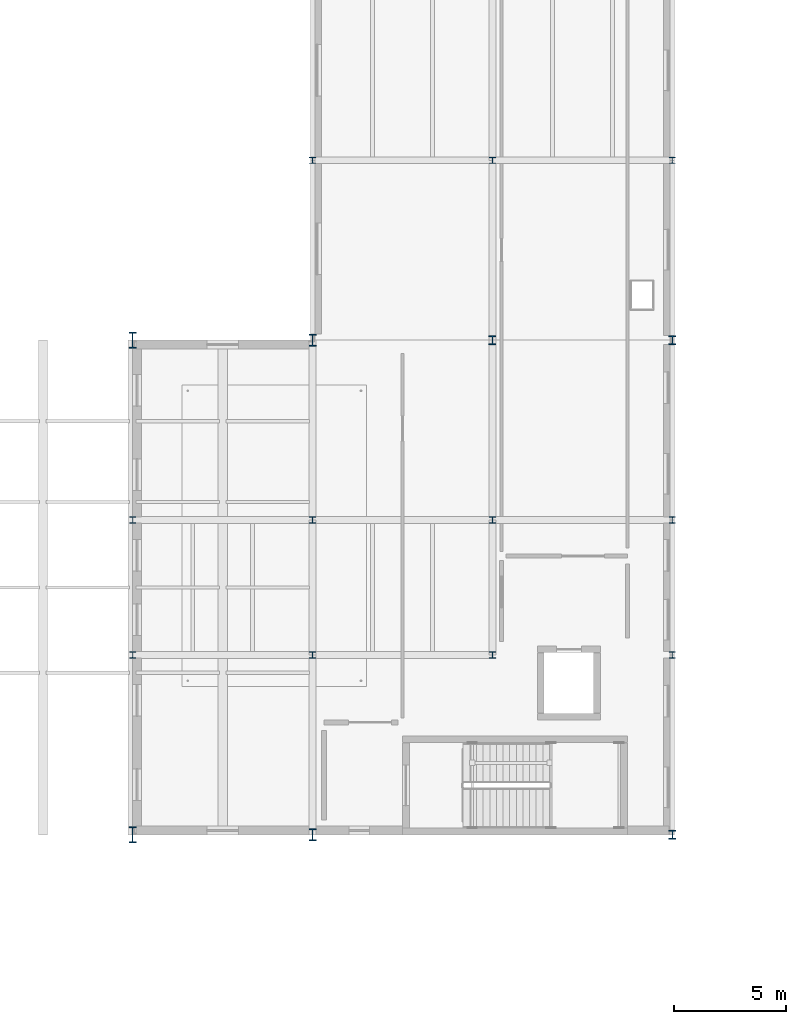
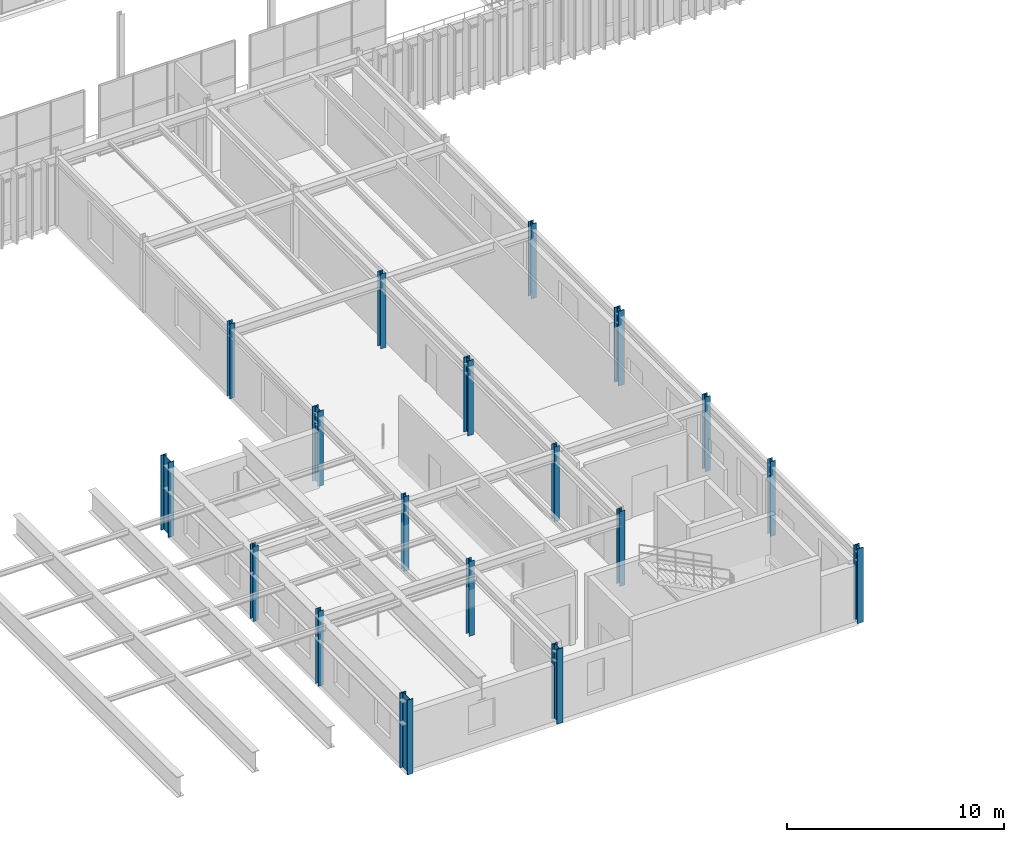
# One storey, part 1 of 122: 18 columns.
"""IFC4 building model written with IfcOpenShell, lengths in metres."""

from ifc_helpers import new_model, si_unit, direction, frame, origin, origin_2d, place, context, subcontext, project, spatial, i_section, extrude, material, material_profile, profile_set, type_object, element, save


model = new_model("IFC4")

# Units and contexts
model_context = context("Model", 3, precision=1e-05, world=origin(), true_north=direction((0.0, 1.0)))
body_context = subcontext(model_context, "Body", "Model", "MODEL_VIEW")
ifc_project = project(units=[si_unit("LENGTHUNIT", "METRE"), si_unit("AREAUNIT", "SQUARE_METRE"), si_unit("VOLUMEUNIT", "CUBIC_METRE"), si_unit("PLANEANGLEUNIT", "RADIAN"), si_unit("MASSUNIT", "GRAM", prefix="KILO")], contexts=[model_context])

# Site, building, storey
site_placement = place(None, origin())
site = spatial("IfcSite", under=ifc_project, at=site_placement, CompositionType="ELEMENT")
building_placement = place(site_placement, origin())
building = spatial("IfcBuilding", under=site, at=building_placement, Name="Sundkrona Museum", CompositionType="ELEMENT")
storey_placement = place(building_placement, frame((0.0, 0.0, 5.39990234375)))
storey = spatial("IfcBuildingStorey", under=building, at=storey_placement, Name="L01", CompositionType="ELEMENT", Elevation=5.39990234375)

# Columns
ifc_material_1 = material(Name="Steel S355J2", Category="steel")
ifc_material_profile_1 = material_profile(ifc_material_1, i_section(OverallWidth=0.280029296875, OverallDepth=0.280029296875, WebThickness=0.010498046875, FlangeThickness=0.01806640625, FilletRadius=0.02392578125, at=origin_2d()), Name="HEB 280")
ifc_profile_set_1 = profile_set([ifc_material_profile_1], Name="Steel S355J2")
column_type_1 = type_object("IfcColumnType", Name="C-HEB280", PredefinedType="COLUMN", material=ifc_profile_set_1)
for number, where, z_axis, x_axis, name in (
    (1, (16.0, 40.0, 0.0), (0.0, 0.0, 1.0), (1.0, 0.0, 0.0), "L01 Column F/3"),
    (2, (16.0, 46.0, 0.0), (0.0, 0.0, 1.0), (1.0, 0.0, 0.0), "L01 Column G/3"),
    (3, (24.0, 40.0, 0.0), (0.0, 0.0, 1.0), (1.0, 0.0, 0.0), "L01 Column F/4"),
    (4, (24.0, 46.0, 0.0), (0.0, 0.0, 1.0), (1.0, 0.0, 0.0), "L01 Column G/4"),
    (5, (24.0, 62.0, 0.0), (0.0, 0.0, 1.0), (1.0, 0.0, 0.0), "L01 Column J/4"),
    (6, (32.0, 40.0, 0.0), (0.0, 0.0, 1.0), (1.0, 0.0, 0.0), "L01 Column F/5"),
    (7, (32.0, 46.0, 0.0), (0.0, 0.0, 1.0), (1.0, 0.0, 0.0), "L01 Column G/5"),
    (8, (32.0, 62.0, 0.0), (0.0, 0.0, 1.0), (1.0, 0.0, 0.0), "L01 Column J/5"),
    (9, (40.0, 40.0, 0.0), (0.0, 0.0, 1.0), (1.0, 0.0, 0.0), "L01 Column F/6"),
    (10, (40.0, 46.0, 0.0), (0.0, 0.0, 1.0), (1.0, 0.0, 0.0), "L01 Column G/6"),
    (11, (40.0, 62.0, 0.0), (0.0, 0.0, 1.0), (1.0, 0.0, 0.0), "L01 Column J/6"),
):
    element("IfcColumn", number, at=place(storey_placement, frame(where, z_axis=z_axis, x_axis=x_axis)), inside=storey, type_object=column_type_1, Name=name, PredefinedType="COLUMN", context=body_context, shape_type="SweptSolid", body=[
        extrude(i_section(OverallWidth=0.280029296875, OverallDepth=0.280029296875, WebThickness=0.010498046875, FlangeThickness=0.01806640625, FilletRadius=0.02392578125, at=origin_2d()), origin(), (0.0, 0.0, 1.0), 4.2001953125),
    ])
ifc_material_2 = material(Name="Steel S460M", Category="steel")
ifc_material_profile_2 = material_profile(ifc_material_2, i_section(OverallWidth=0.30810546875, OverallDepth=0.39501953125, WebThickness=0.02099609375, FlangeThickness=0.0400390625, FilletRadius=0.027099609375, at=origin_2d()), Name="HEM 360")
ifc_profile_set_2 = profile_set([ifc_material_profile_2], Name="Steel S460M")
column_type_2 = type_object("IfcColumnType", Name="C-HEM360", PredefinedType="COLUMN", material=ifc_profile_set_2)
for number, where, z_axis, x_axis, name in (
    (12, (32.0, 54.0, 0.0), (0.0, 0.0, 1.0), (1.0, 0.0, 0.0), "L01 Column H/5"),
    (13, (40.0, 32.0, 0.0), (0.0, 0.0, 1.0), (1.0, 0.0, 0.0), "L01 Column E/6"),
    (14, (40.0, 54.0, 0.0), (0.0, 0.0, 1.0), (1.0, 0.0, 0.0), "L01 Column H/6"),
):
    element("IfcColumn", number, at=place(storey_placement, frame(where, z_axis=z_axis, x_axis=x_axis)), inside=storey, type_object=column_type_2, Name=name, PredefinedType="COLUMN", context=body_context, shape_type="SweptSolid", body=[
        extrude(i_section(OverallWidth=0.30810546875, OverallDepth=0.39501953125, WebThickness=0.02099609375, FlangeThickness=0.0400390625, FilletRadius=0.027099609375, at=origin_2d()), origin(), (0.0, 0.0, 1.0), 4.2001953125),
    ])
ifc_material_profile_3 = material_profile(ifc_material_2, i_section(OverallWidth=0.305908203125, OverallDepth=0.52392578125, WebThickness=0.02099609375, FlangeThickness=0.0400390625, FilletRadius=0.027099609375, at=origin_2d()), Name="HEM 500")
ifc_profile_set_3 = profile_set([ifc_material_profile_3], Name="Steel S460M")
column_type_3 = type_object("IfcColumnType", Name="C-HEM500", PredefinedType="COLUMN", material=ifc_profile_set_3)
for number, where, z_axis, x_axis, name in (
    (15, (24.0, 32.0, 0.0), (0.0, 0.0, 1.0), (1.0, 0.0, 0.0), "L01 Column E/4"),
    (16, (24.0, 54.0, 0.0), (0.0, 0.0, 1.0), (1.0, 0.0, 0.0), "L01 Column H/4"),
):
    element("IfcColumn", number, at=place(storey_placement, frame(where, z_axis=z_axis, x_axis=x_axis)), inside=storey, type_object=column_type_3, Name=name, PredefinedType="COLUMN", context=body_context, shape_type="SweptSolid", body=[
        extrude(i_section(OverallWidth=0.305908203125, OverallDepth=0.52392578125, WebThickness=0.02099609375, FlangeThickness=0.0400390625, FilletRadius=0.027099609375, at=origin_2d()), origin(), (0.0, 0.0, 1.0), 4.2001953125),
    ])
ifc_material_profile_4 = material_profile(ifc_material_2, i_section(OverallWidth=0.303955078125, OverallDepth=0.716064453125, WebThickness=0.02099609375, FlangeThickness=0.0400390625, FilletRadius=0.027099609375, at=origin_2d()), Name="HEM 700")
ifc_profile_set_4 = profile_set([ifc_material_profile_4], Name="Steel S460M")
column_type_4 = type_object("IfcColumnType", Name="C-HEM700", PredefinedType="COLUMN", material=ifc_profile_set_4)
for number, where, z_axis, x_axis, name in (
    (17, (16.0, 32.0, 0.0), (0.0, 0.0, 1.0), (1.0, 0.0, 0.0), "L01 Column E/3"),
    (18, (16.0, 54.0, 0.0), (0.0, 0.0, 1.0), (1.0, 0.0, 0.0), "L01 Column H/3"),
):
    element("IfcColumn", number, at=place(storey_placement, frame(where, z_axis=z_axis, x_axis=x_axis)), inside=storey, type_object=column_type_4, Name=name, PredefinedType="COLUMN", context=body_context, shape_type="SweptSolid", body=[
        extrude(i_section(OverallWidth=0.303955078125, OverallDepth=0.716064453125, WebThickness=0.02099609375, FlangeThickness=0.0400390625, FilletRadius=0.027099609375, at=origin_2d()), origin(), (0.0, 0.0, 1.0), 4.2001953125),
    ])

save(model, "model.ifc")
